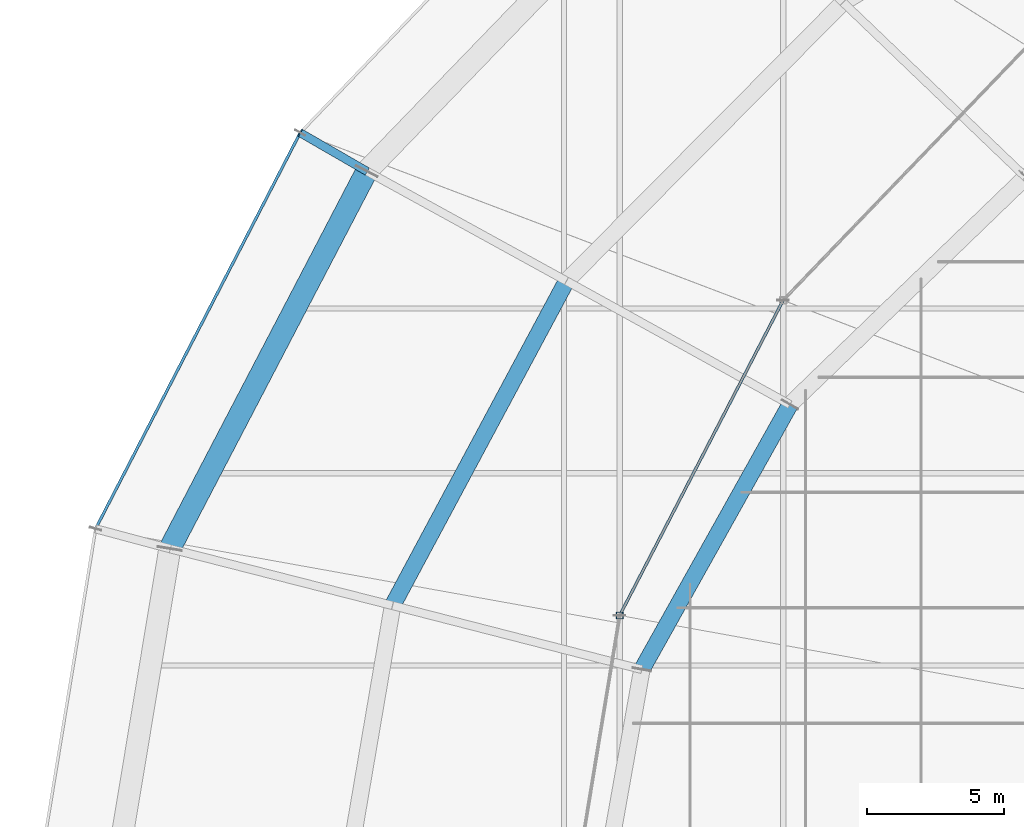
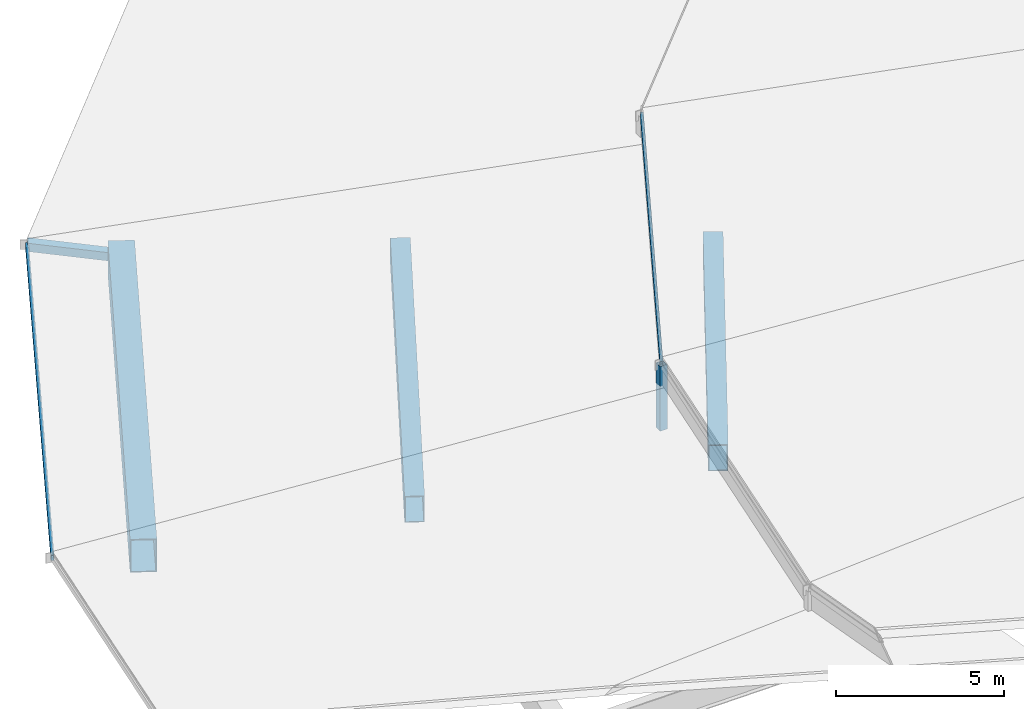
# One storey, part 95 of 184: 4 members, 3 beams.
"""IFC4 building model written with IfcOpenShell, lengths in metres."""

import ifcopenshell
import ifcopenshell.guid

model = None  # the IFC model being written
_history = None  # IfcOwnerHistory: only IFC2X3 demands one
_inside = {}  # id of a spatial element -> (the spatial element, [elements in it])
_under = {}  # id of a project, library or spatial element -> (it, [spatial elements below it])
_declared = {}  # id of a project -> (the project, [libraries it declares])
_typed = {}  # id of a type object -> (the type object, [elements of that type])
_made_of = {}  # id of a material, layer set ... -> (it, [elements and type objects made of it])


def new_model(schema):
    """Start an empty IFC model of exactly this schema.

    Asked for "IFC4X3", IfcOpenShell would pick the latest addendum, in which some entities
    have other attributes; the version numbers below select the first issue.
    IFC2X3 requires an IfcOwnerHistory on every rooted entity: one is made here for all.
    """
    global model, _history
    if schema == "IFC4X3":
        model = ifcopenshell.file(schema_version=(4, 3, 0, 0))
    else:
        model = ifcopenshell.file(schema=schema)
    _inside.clear()
    _under.clear()
    _declared.clear()
    _typed.clear()
    _made_of.clear()
    _history = None
    if model.schema == "IFC2X3":
        org = make("IfcOrganization", Name="unknown")
        user = make(
            "IfcPersonAndOrganization",
            ThePerson=make("IfcPerson", FamilyName="unknown"),
            TheOrganization=org,
        )
        app = make(
            "IfcApplication",
            ApplicationDeveloper=org,
            Version="unknown",
            ApplicationFullName="unknown",
            ApplicationIdentifier="unknown",
        )
        _history = make(
            "IfcOwnerHistory",
            OwningUser=user,
            OwningApplication=app,
            ChangeAction="ADDED",
            CreationDate=0,
        )
    return model


def make(cls, **values):
    """One entity of the class cls with the attributes given. An attribute that is None is left unset."""
    return model.create_entity(
        cls, **{name: value for name, value in values.items() if value is not None}
    )


def rooted(cls, **values):
    """An entity with a GlobalId (a new one), such as an element, a storey or a relation."""
    return make(cls, GlobalId=ifcopenshell.guid.new(), OwnerHistory=_history, **values)


def si_unit(unit_type, name, prefix=None):
    """IfcSIUnit, for example si_unit("LENGTHUNIT", "METRE", prefix="MILLI")."""
    return make("IfcSIUnit", UnitType=unit_type, Prefix=prefix, Name=name)


def assignment(units):
    """IfcUnitAssignment: the units of a project."""
    return None if units is None else make("IfcUnitAssignment", Units=units)


def point(xyz):
    """IfcCartesianPoint."""
    return None if xyz is None else make("IfcCartesianPoint", Coordinates=xyz)


def direction(xyz):
    """IfcDirection."""
    return None if xyz is None else make("IfcDirection", DirectionRatios=xyz)


def frame(location, z_axis=None, x_axis=None):
    """IfcAxis2Placement3D, a coordinate frame: its origin and axes. An axis left out is left unset."""
    return make(
        "IfcAxis2Placement3D",
        Location=point(location),
        Axis=direction(z_axis),
        RefDirection=direction(x_axis),
    )


def frame_2d(location, x_axis=None):
    """IfcAxis2Placement2D, a coordinate frame in the plane: its origin and x axis."""
    return make(
        "IfcAxis2Placement2D", Location=point(location), RefDirection=direction(x_axis)
    )


def origin():
    """The frame at (0, 0, 0) with its axes left unset."""
    return frame((0.0, 0.0, 0.0))


def origin_2d():
    """The frame at (0, 0) in the plane with its x axis left unset."""
    return frame_2d((0.0, 0.0))


def place(relative_to, where):
    """IfcLocalPlacement: puts the frame where relative to a parent placement (None: the world)."""
    return make(
        "IfcLocalPlacement", PlacementRelTo=relative_to, RelativePlacement=where
    )


def context(
    kind, dimensions, precision=None, world=None, true_north=None, identifier=None
):
    """IfcGeometricRepresentationContext, for example the 3D "Model" context."""
    return make(
        "IfcGeometricRepresentationContext",
        ContextIdentifier=identifier,
        ContextType=kind,
        CoordinateSpaceDimension=dimensions,
        Precision=precision,
        WorldCoordinateSystem=world,
        TrueNorth=true_north,
    )


def subcontext(parent, identifier, kind, view, scale=None):
    """IfcGeometricRepresentationSubContext, for example "Body" below "Model"."""
    return make(
        "IfcGeometricRepresentationSubContext",
        ContextIdentifier=identifier,
        ContextType=kind,
        ParentContext=parent,
        TargetScale=scale,
        TargetView=view,
    )


def project(units=None, contexts=None):
    """IfcProject with its units and contexts."""
    return rooted(
        "IfcProject",
        Name="project",
        RepresentationContexts=contexts,
        UnitsInContext=assignment(units),
    )


def spatial(cls, under=None, at=None, **own):
    """A site, building, storey or space (cls), placed at a placement, below another one or the project."""
    s = rooted(cls, ObjectPlacement=at, **own)
    if under is not None:
        _under.setdefault(under.id(), (under, []))[1].append(s)
    return s


def profile(cls, at=None, kind="AREA", **sizes):
    """A parametric profile (cls). Its sizes go by their IFC names, for example OverallWidth=200.0."""
    return make(cls, ProfileType=kind, Position=at, **sizes)


def hollow_rectangle(**sizes):
    """IfcRectangleHollowProfileDef."""
    return profile("IfcRectangleHollowProfileDef", **sizes)


def extrude(swept, where, along, depth):
    """IfcExtrudedAreaSolid: the profile swept, set in the frame where, extruded along a direction by depth."""
    return make(
        "IfcExtrudedAreaSolid",
        SweptArea=swept,
        Position=where,
        ExtrudedDirection=direction(along),
        Depth=depth,
    )


def shape(context_of_items, identifier, shape_type, items):
    """IfcShapeRepresentation: the items that make up one representation, for example the "Body"."""
    return make(
        "IfcShapeRepresentation",
        ContextOfItems=context_of_items,
        RepresentationIdentifier=identifier,
        RepresentationType=shape_type,
        Items=items,
    )


def material(Name=None, Category=None):
    """IfcMaterial."""
    return make("IfcMaterial", Name=Name, Category=Category)


def material_profile(
    of_material, cross_section, Name=None, Category=None, Priority=None
):
    """IfcMaterialProfile: a cross section and its material."""
    return make(
        "IfcMaterialProfile",
        Name=Name,
        Material=of_material,
        Profile=cross_section,
        Priority=Priority,
        Category=Category,
    )


def profile_set(profiles, Name=None, composite=None):
    """IfcMaterialProfileSet."""
    return make(
        "IfcMaterialProfileSet",
        Name=Name,
        MaterialProfiles=profiles,
        CompositeProfile=composite,
    )


def made_of(thing, what):
    """Note that an element or type object is made of a material, layer set ...; save() writes the relation."""
    if what is not None:
        _made_of.setdefault(what.id(), (what, []))[1].append(thing)
    return thing


def type_object(cls, material=None, **own):
    """A type object (cls), such as IfcWallType, which elements share."""
    return made_of(rooted(cls, **own), material)


def element(
    cls,
    number,
    at=None,
    inside=None,
    cuts=None,
    type_object=None,
    material=None,
    context=None,
    identifier="Body",
    shape_type=None,
    held_by="IfcProductDefinitionShape",
    body=None,
    shapes=None,
    **own,
):
    """One element of the class cls, such as IfcWall. Its Tag is "e" and its number.

    at: its placement. inside: the storey or other place that contains it. cuts: it is an
    opening in that element (IfcRelVoidsElement). A single representation is given by context,
    identifier, shape_type and body (its items); several are given by shapes. held_by: the class
    of the entity that holds the representations. save() writes the other relations.
    """
    e = rooted(cls, Tag="e%d" % number, ObjectPlacement=at, **own)
    if body is not None:
        shapes = [shape(context, identifier, shape_type, body)]
    if shapes is not None:
        e.Representation = make(held_by, Representations=shapes)
    if inside is not None:
        _inside.setdefault(inside.id(), (inside, []))[1].append(e)
    if cuts is not None:
        rooted(
            "IfcRelVoidsElement", RelatingBuildingElement=cuts, RelatedOpeningElement=e
        )
    if type_object is not None:
        _typed.setdefault(type_object.id(), (type_object, []))[1].append(e)
    return made_of(e, material)


def aggregate(whole, parts):
    """IfcRelAggregates: a whole, such as a stair, and the parts it consists of."""
    return rooted("IfcRelAggregates", RelatingObject=whole, RelatedObjects=parts)


def save(model, path):
    """Write the relations noted so far, then the file.

    IfcRelAggregates (storeys below a building ...), IfcRelContainedInSpatialStructure (elements
    in a storey), IfcRelDefinesByType, IfcRelAssociatesMaterial and IfcRelDeclares: one each for
    every whole, place, type object, material and project.
    """
    for whole, parts in _under.values():
        aggregate(whole, parts)
    for where, things in _inside.values():
        rooted(
            "IfcRelContainedInSpatialStructure",
            RelatedElements=things,
            RelatingStructure=where,
        )
    for kind, things in _typed.values():
        rooted("IfcRelDefinesByType", RelatedObjects=things, RelatingType=kind)
    for what, things in _made_of.values():
        rooted("IfcRelAssociatesMaterial", RelatedObjects=things, RelatingMaterial=what)
    for by, libraries in _declared.values():
        rooted("IfcRelDeclares", RelatingContext=by, RelatedDefinitions=libraries)
    model.write(path)


model = new_model("IFC4")

# Units and contexts
model_context = context("Model", 3, precision=1e-05, world=origin(), true_north=direction((0.0, 1.0)))
body_context = subcontext(model_context, "Body", "Model", "MODEL_VIEW")
ifc_project = project(units=[si_unit("LENGTHUNIT", "METRE"), si_unit("AREAUNIT", "SQUARE_METRE"), si_unit("VOLUMEUNIT", "CUBIC_METRE"), si_unit("PLANEANGLEUNIT", "RADIAN"), si_unit("MASSUNIT", "GRAM", prefix="KILO")], contexts=[model_context])

# Site, building, storey
site_placement = place(None, origin())
site = spatial("IfcSite", under=ifc_project, at=site_placement, CompositionType="ELEMENT")
building_placement = place(site_placement, origin())
building = spatial("IfcBuilding", under=site, at=building_placement, Name="Kalgoora Escarpment Arena", CompositionType="ELEMENT")
storey_placement = place(building_placement, frame((0.0, 0.0, 27.60009765625)))
storey = spatial("IfcBuildingStorey", under=building, at=storey_placement, Name="Roof Level", CompositionType="ELEMENT", Elevation=27.60009765625)

# Beams
ifc_material_1 = material(Name="Structural steel Grade 350 (350 MPa)", Category="steel")
ifc_material_profile_1 = material_profile(ifc_material_1, hollow_rectangle(XDim=0.800048828125, YDim=1.199951171875, WallThickness=0.031982421875, at=origin_2d()))
ifc_profile_set_1 = profile_set([ifc_material_profile_1], Name="Structural steel Grade 350 (350 MPa)")
beam_type_1 = type_object("IfcBeamType", Name="BM-RING-BOX1200", PredefinedType="USERDEFINED", material=ifc_profile_set_1)
beam_1_placement = place(storey_placement, frame((30.219482421875, 92.5, -1.4501953125), z_axis=(-0.462595600895, -0.886569405085, 0.0), x_axis=(0.886569405085, -0.462595600895, 0.0)))
element("IfcBeam", 1, at=beam_1_placement, inside=storey, type_object=beam_type_1, Name="Outer perimeter compression RING BEAM chord 11", ObjectType="GIRDER", PredefinedType="USERDEFINED", context=body_context, shape_type="SweptSolid", body=[
    extrude(hollow_rectangle(XDim=0.800048828125, YDim=1.199951171875, WallThickness=0.031982421875, at=origin_2d()), origin(), (0.0, 0.0, 1.0), 15.506103515625),
])
ifc_material_2 = material(Name="Structural steel Grade 350 (350 MPa)", Category="steel")
ifc_material_profile_2 = material_profile(ifc_material_2, hollow_rectangle(XDim=0.60009765625, YDim=0.949951171875, WallThickness=0.02490234375, at=origin_2d()))
ifc_profile_set_2 = profile_set([ifc_material_profile_2], Name="Structural steel Grade 350 (350 MPa)")
beam_type_2 = type_object("IfcBeamType", Name="BM-RING-BOX950", PredefinedType="USERDEFINED", material=ifc_profile_set_2)
beam_2_placement = place(storey_placement, frame((37.493896484375, 88.5, -1.35009765625), z_axis=(-0.47236591953, -0.881402540311, 0.0), x_axis=(0.881402540311, -0.47236591953, 0.0)))
element("IfcBeam", 2, at=beam_2_placement, inside=storey, type_object=beam_type_2, Name="Concourse roof RING BEAM chord 11", ObjectType="GIRDER", PredefinedType="USERDEFINED", context=body_context, shape_type="SweptSolid", body=[
    extrude(hollow_rectangle(XDim=0.60009765625, YDim=0.949951171875, WallThickness=0.02490234375, at=origin_2d()), origin(), (0.0, 0.0, 1.0), 13.407958984375),
])
beam_3_placement = place(storey_placement, frame((45.634521484375, 84.0, -1.25), z_axis=(-0.488058469962, -0.872810935941, 0.0), x_axis=(0.872810935941, -0.488058469962, 0.0)))
element("IfcBeam", 3, at=beam_3_placement, inside=storey, type_object=beam_type_2, Name="Bowl compression RING BEAM chord 11", ObjectType="GIRDER", PredefinedType="USERDEFINED", context=body_context, shape_type="SweptSolid", body=[
    extrude(hollow_rectangle(XDim=0.60009765625, YDim=0.949951171875, WallThickness=0.02490234375, at=origin_2d()), origin(), (0.0, 0.0, 1.0), 11.052978515625),
])

# Members
ifc_material_3 = material(Name="Structural steel C450 (450 MPa)", Category="steel")
ifc_material_profile_3 = material_profile(ifc_material_3, hollow_rectangle(XDim=0.25, YDim=0.25, WallThickness=0.012451171875, at=origin_2d()))
ifc_profile_set_3 = profile_set([ifc_material_profile_3], Name="Structural steel C450 (450 MPa)")
member_type_1 = type_object("IfcMemberType", Name="MEM-PETAL-POST", PredefinedType="POST", material=ifc_profile_set_3)
member_1_placement = place(storey_placement, frame((39.430908203125, 76.31982421875, -1.080078125), z_axis=(0.0, 0.0, 1.0), x_axis=(1.0, 0.0, 0.0)))
element("IfcMember", 4, at=member_1_placement, inside=storey, type_object=member_type_1, Name="Petal RP2 vertical support post S12", PredefinedType="POST", context=body_context, shape_type="SweptSolid", body=[
    extrude(hollow_rectangle(XDim=0.25, YDim=0.25, WallThickness=0.012451171875, at=origin_2d()), origin(), (0.0, 0.0, 1.0), 2.344970703125),
])
ifc_material_4 = material(Name="Structural steel C350 (350 MPa)", Category="steel")
ifc_material_profile_4 = material_profile(ifc_material_4, hollow_rectangle(XDim=0.10009765625, YDim=0.199951171875, WallThickness=0.009033203125, at=origin_2d()))
ifc_profile_set_4 = profile_set([ifc_material_profile_4], Name="Structural steel C350 (350 MPa)")
member_type_2 = type_object("IfcMemberType", Name="MEM-PURLIN-RHS", PredefinedType="PURLIN", material=ifc_profile_set_4)
member_2_placement = place(storey_placement, frame((27.79443359375, 93.89990234375, -1.02001953125), z_axis=(-0.459066541808, -0.888401885518, 0.0), x_axis=(0.888401885518, -0.459066541808, 0.0)))
element("IfcMember", 5, at=member_2_placement, inside=storey, type_object=member_type_2, Name="Petal RP1 eave support ring purlin S11", PredefinedType="PURLIN", context=body_context, shape_type="SweptSolid", body=[
    extrude(hollow_rectangle(XDim=0.10009765625, YDim=0.199951171875, WallThickness=0.009033203125, at=origin_2d()), origin(), (0.0, 0.0, 1.0), 16.234375),
])
member_3_placement = place(storey_placement, frame((45.385009765625, 87.800048828125, 1.244873046875), z_axis=(-0.460402022501, -0.887710525834, 0.0), x_axis=(0.887710525834, -0.460402022501, 0.0)))
element("IfcMember", 6, at=member_3_placement, inside=storey, type_object=member_type_2, Name="Petal RP2 eave support ring purlin S11", PredefinedType="PURLIN", context=body_context, shape_type="SweptSolid", body=[
    extrude(hollow_rectangle(XDim=0.10009765625, YDim=0.199951171875, WallThickness=0.009033203125, at=origin_2d()), origin(), (0.0, 0.0, 1.0), 12.932373046875),
])
ifc_material_5 = material(Name="Structural steel C450 (450 MPa)", Category="steel")
ifc_material_profile_5 = material_profile(ifc_material_5, hollow_rectangle(XDim=0.300048828125, YDim=0.300048828125, WallThickness=0.012451171875, at=origin_2d()))
ifc_profile_set_5 = profile_set([ifc_material_profile_5], Name="Structural steel C450 (450 MPa)")
member_type_3 = type_object("IfcMemberType", Name="MEM-TRUSS-POST", PredefinedType="POST", material=ifc_profile_set_5)
member_4_placement = place(storey_placement, frame((30.219482421875, 92.5, -1.400146484375), z_axis=(-0.857346427406, 0.494918394719, 0.141466907734), x_axis=(-0.49994636267, -0.866056369097, 0.0)))
element("IfcMember", 7, at=member_4_placement, inside=storey, type_object=member_type_3, Name="Petal RP1 eave strut S11", PredefinedType="POST", context=body_context, shape_type="SweptSolid", body=[
    extrude(hollow_rectangle(XDim=0.300048828125, YDim=0.300048828125, WallThickness=0.012451171875, at=origin_2d()), origin(), (0.0, 0.0, 1.0), 2.82861328125),
])

save(model, "model.ifc")
